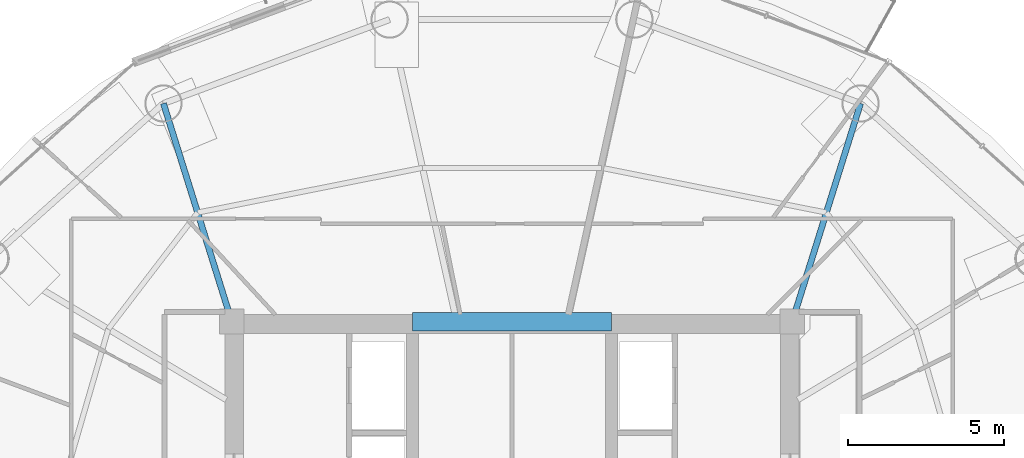
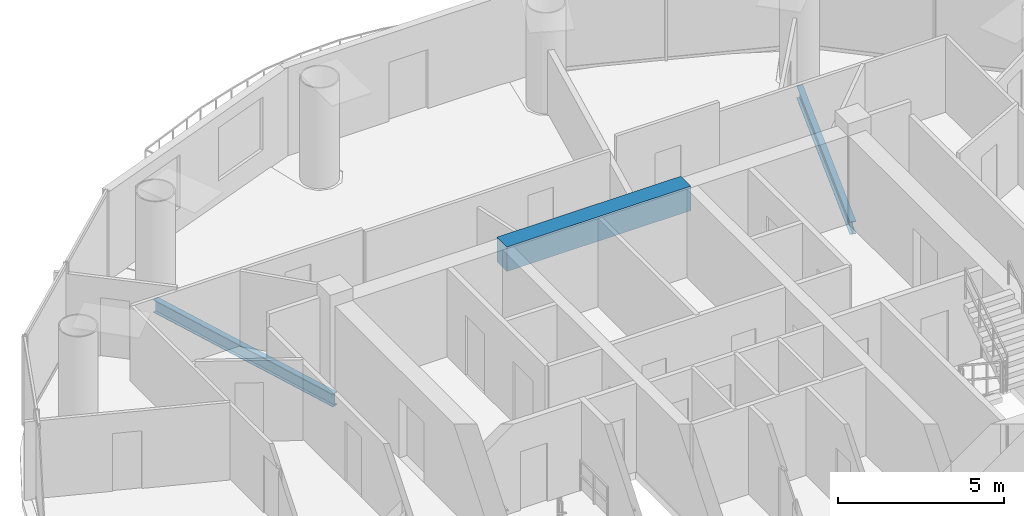
# One storey, part 9 of 26: 3 beams.
"""IFC4 building model written with IfcOpenShell, lengths in metres."""

from ifc_helpers import new_model, si_unit, direction, frame, origin, origin_2d, place, context, subcontext, project, spatial, rectangle, i_section, extrude, material, material_profile, profile_set, type_object, element, save


model = new_model("IFC4")

# Units and contexts
model_context = context("Model", 3, precision=1e-05, world=origin(), true_north=direction((-0.2419218956, 0.970295726276)))
body_context = subcontext(model_context, "Body", "Model", "MODEL_VIEW")
ifc_project = project(units=[si_unit("LENGTHUNIT", "METRE"), si_unit("AREAUNIT", "SQUARE_METRE"), si_unit("VOLUMEUNIT", "CUBIC_METRE"), si_unit("PLANEANGLEUNIT", "RADIAN"), si_unit("MASSUNIT", "GRAM", prefix="KILO")], contexts=[model_context])

# Site, building, storey
site_placement = place(None, origin())
site = spatial("IfcSite", under=ifc_project, at=site_placement, CompositionType="ELEMENT")
building_placement = place(site_placement, origin())
building = spatial("IfcBuilding", under=site, at=building_placement, Name="Cobrevalo Terracotta Tower", CompositionType="ELEMENT")
storey_placement = place(building_placement, frame((0.0, 0.0, 239.300048828125)))
storey = spatial("IfcBuildingStorey", under=building, at=storey_placement, Name="L63", CompositionType="ELEMENT", Elevation=239.300048828125)

# Beams
ifc_material_1 = material(Name="Concrete C60", Category="concrete")
ifc_material_profile_1 = material_profile(ifc_material_1, rectangle(XDim=0.60009765625, YDim=0.89990234375, at=origin_2d()), Name="RC CB 600x900")
ifc_profile_set_1 = profile_set([ifc_material_profile_1], Name="Concrete C60")
beam_type_1 = type_object("IfcBeamType", Name="Structural Beam RC CB 600x900 (Concrete C60)", PredefinedType="BEAM", material=ifc_profile_set_1)
beam_placement = place(storey_placement, frame((34.800048828125, 34.800048828125, 2.800048828125), z_axis=(1.0, 0.0, 0.0), x_axis=(0.0, 1.0, 0.0)))
element("IfcBeam", 1, at=beam_placement, inside=storey, type_object=beam_type_1, Name="L63 core coupling beam 2", PredefinedType="BEAM", context=body_context, shape_type="SweptSolid", body=[
    extrude(rectangle(XDim=0.60009765625, YDim=0.89990234375, at=origin_2d()), origin(), (0.0, 0.0, 1.0), 6.39990234375),
])
ifc_material_2 = material(Name="Steel S355", Category="steel")
ifc_material_profile_2 = material_profile(ifc_material_2, i_section(OverallWidth=0.194091796875, OverallDepth=0.468994140625, WebThickness=0.011474609375, FlangeThickness=0.0205078125, at=origin_2d()), Name="W 460x106")
ifc_profile_set_2 = profile_set([ifc_material_profile_2], Name="Steel S355")
beam_type_2 = type_object("IfcBeamType", Name="Structural Beam W 460x106 (Steel S355)", PredefinedType="BEAM", material=ifc_profile_set_2)
for number, where, z_axis, x_axis, name in (
    (2, (49.19482421875, 41.80810546875, -0.49951171875), (-0.298871212691, -0.954293454984, 0.0), (0.954293454984, -0.298871212691, 0.0), "L63 radial floor girder 03"),
    (3, (26.80517578125, 41.80810546875, -0.49951171875), (0.298871212691, -0.954293454984, 0.0), (0.954293454984, 0.298871212691, 0.0), "L63 radial floor girder 06"),
):
    element("IfcBeam", number, at=place(storey_placement, frame(where, z_axis=z_axis, x_axis=x_axis)), inside=storey, type_object=beam_type_2, Name=name, PredefinedType="BEAM", context=body_context, shape_type="SweptSolid", body=[
        extrude(i_section(OverallWidth=0.194091796875, OverallDepth=0.468994140625, WebThickness=0.011474609375, FlangeThickness=0.0205078125, at=origin_2d()), origin(), (0.0, 0.0, 1.0), 7.34375),
    ])

save(model, "model.ifc")
